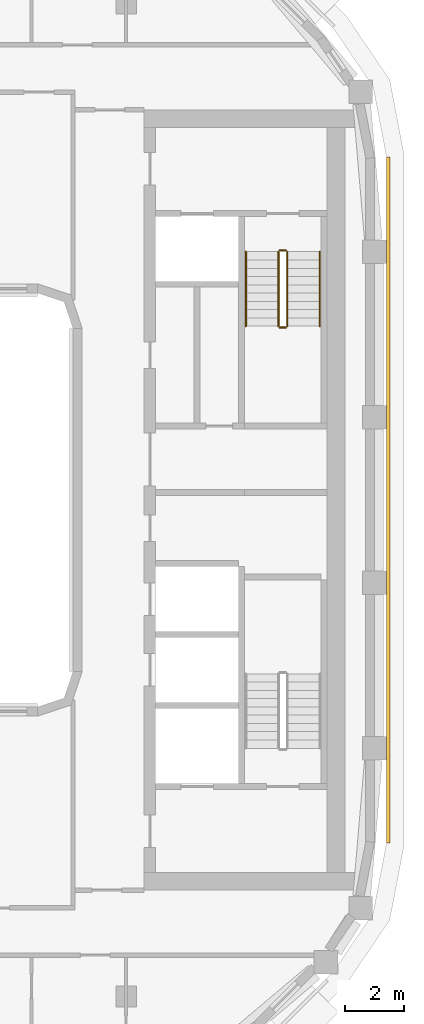
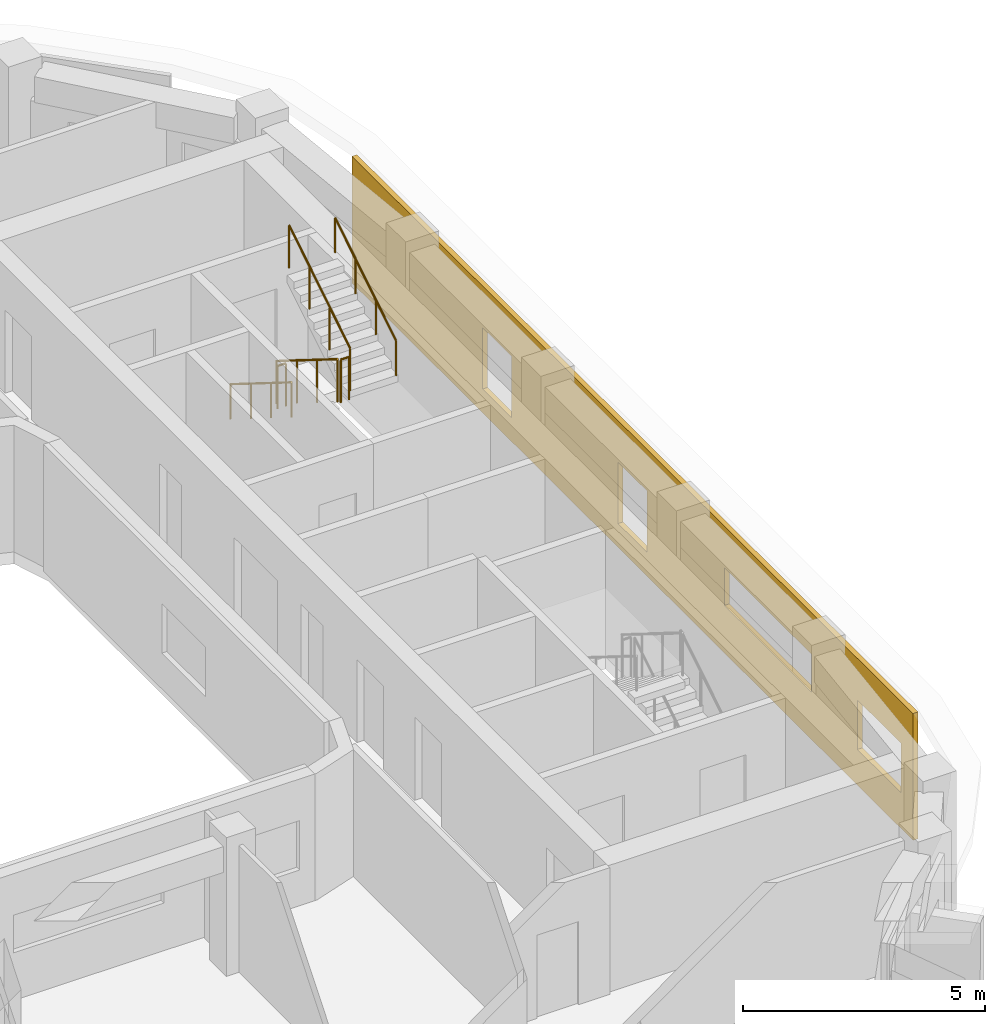
# One storey, part 14 of 15: 6 railings, 1 covering.
"""IFC4 building model written with IfcOpenShell, lengths in metres."""

from ifc_helpers import new_model, si_unit, direction, frame, origin, origin_2d, place, context, subcontext, project, spatial, polyline, circle, outline, extrude, material, layer, layer_set, type_object, element, save


model = new_model("IFC4")

# Units and contexts
model_context = context("Model", 3, precision=1e-05, world=origin(), true_north=direction((0.0, 1.0)))
body_context = subcontext(model_context, "Body", "Model", "MODEL_VIEW")
ifc_project = project(units=[si_unit("LENGTHUNIT", "METRE"), si_unit("AREAUNIT", "SQUARE_METRE"), si_unit("VOLUMEUNIT", "CUBIC_METRE"), si_unit("PLANEANGLEUNIT", "RADIAN"), si_unit("MASSUNIT", "GRAM", prefix="KILO")], contexts=[model_context])

# Site, building, storey
site_placement = place(None, origin())
site = spatial("IfcSite", under=ifc_project, at=site_placement, CompositionType="ELEMENT")
building_placement = place(site_placement, origin())
building = spatial("IfcBuilding", under=site, at=building_placement, Name="Kiln Ring Residences", CompositionType="ELEMENT")
storey_placement = place(building_placement, frame((0.0, 0.0, 252.199951171875)))
storey = spatial("IfcBuildingStorey", under=building, at=storey_placement, Name="L65", CompositionType="ELEMENT", Elevation=252.199951171875)

# Railings
ifc_material_1 = material(Name="Stainless steel", Category="steel")
railing_type_1 = type_object("IfcRailingType", Name="CORE-STAIR-GUARD", PredefinedType="GUARDRAIL", material=ifc_material_1)
railing_1_placement = place(storey_placement, frame((21.949951171875, 8.39990234375, 0.175048828125)))
element("IfcRailing", 1, at=railing_1_placement, inside=storey, type_object=railing_type_1, Name="L65 E-STN stair guard 1", PredefinedType="GUARDRAIL", context=body_context, shape_type="SweptSolid", body=[
    extrude(circle(Radius=0.02392578125, at=origin_2d()), frame((0.0, 0.0, 1.076171875), z_axis=(0.0, -0.848007534815, 0.529984170421), x_axis=(1.0, 0.0, 0.0)), (0.0, 0.0, 1.0), 2.9716796875),
    extrude(circle(Radius=0.02099609375, at=origin_2d()), origin(), (0.0, 0.0, 1.0), 1.052001953125),
    extrude(circle(Radius=0.02099609375, at=origin_2d()), frame((0.0, -0.840087890625, 0.52490234375)), (0.0, 0.0, 1.0), 1.052001953125),
    extrude(circle(Radius=0.02099609375, at=origin_2d()), frame((0.0, -1.679931640625, 1.050048828125)), (0.0, 0.0, 1.0), 1.052001953125),
    extrude(circle(Radius=0.02099609375, at=origin_2d()), frame((0.0, -2.52001953125, 1.574951171875)), (0.0, 0.0, 1.0), 1.052001953125),
])
railing_2_placement = place(storey_placement, frame((22.0, 5.830078125, 1.75)))
element("IfcRailing", 2, at=railing_2_placement, inside=storey, type_object=railing_type_1, Name="L65 E-STN stair guard 2", PredefinedType="GUARDRAIL", context=body_context, shape_type="SweptSolid", body=[
    extrude(circle(Radius=0.02392578125, at=origin_2d()), frame((0.0, 0.0, 1.076171875), z_axis=(1.0, 0.0, 0.0), x_axis=(0.0, 1.0, 0.0)), (0.0, 0.0, 1.0), 0.199951171875),
    extrude(circle(Radius=0.02099609375, at=origin_2d()), origin(), (0.0, 0.0, 1.0), 1.052001953125),
    extrude(circle(Radius=0.02099609375, at=origin_2d()), frame((0.199951171875, 0.0, 0.0)), (0.0, 0.0, 1.0), 1.052001953125),
])
railing_3_placement = place(storey_placement, frame((22.25, 5.8798828125, 1.925048828125)))
element("IfcRailing", 3, at=railing_3_placement, inside=storey, type_object=railing_type_1, Name="L65 E-STN stair guard 3", PredefinedType="GUARDRAIL", context=body_context, shape_type="SweptSolid", body=[
    extrude(circle(Radius=0.02392578125, at=origin_2d()), frame((0.0, 0.0, 1.076171875), z_axis=(0.0, 0.848007534815, 0.529984170421), x_axis=(-1.0, 0.0, 0.0)), (0.0, 0.0, 1.0), 2.9716796875),
    extrude(circle(Radius=0.02099609375, at=origin_2d()), origin(), (0.0, 0.0, 1.0), 1.052001953125),
    extrude(circle(Radius=0.02099609375, at=origin_2d()), frame((0.0, 0.840087890625, 0.52490234375)), (0.0, 0.0, 1.0), 1.052001953125),
    extrude(circle(Radius=0.02099609375, at=origin_2d()), frame((0.0, 1.679931640625, 1.050048828125)), (0.0, 0.0, 1.0), 1.052001953125),
    extrude(circle(Radius=0.02099609375, at=origin_2d()), frame((0.0, 2.52001953125, 1.574951171875)), (0.0, 0.0, 1.0), 1.052001953125),
])
railing_4_placement = place(storey_placement, frame((22.0, 8.449951171875, 0.0)))
element("IfcRailing", 4, at=railing_4_placement, inside=storey, type_object=railing_type_1, Name="L65 E-STN stair guard 4", PredefinedType="GUARDRAIL", context=body_context, shape_type="SweptSolid", body=[
    extrude(circle(Radius=0.02392578125, at=origin_2d()), frame((0.0, 0.0, 1.076171875), z_axis=(1.0, 0.0, 0.0), x_axis=(0.0, 1.0, 0.0)), (0.0, 0.0, 1.0), 0.199951171875),
    extrude(circle(Radius=0.02099609375, at=origin_2d()), origin(), (0.0, 0.0, 1.0), 1.052001953125),
    extrude(circle(Radius=0.02099609375, at=origin_2d()), frame((0.199951171875, 0.0, 0.0)), (0.0, 0.0, 1.0), 1.052001953125),
])
ifc_material_2 = material(Name="Stainless steel", Category="steel")
railing_type_2 = type_object("IfcRailingType", Name="CORE-STAIR-HANDRAIL", PredefinedType="HANDRAIL", material=ifc_material_2)
railing_5_placement = place(storey_placement, frame((20.85009765625, 8.39990234375, 0.175048828125)))
element("IfcRailing", 5, at=railing_5_placement, inside=storey, type_object=railing_type_2, Name="L65 E-STN stair handrail 1", PredefinedType="HANDRAIL", context=body_context, shape_type="SweptSolid", body=[
    extrude(circle(Radius=0.02392578125, at=origin_2d()), frame((0.0, 0.0, 0.8759765625), z_axis=(0.0, -0.848007534815, 0.529984170421), x_axis=(1.0, 0.0, 0.0)), (0.0, 0.0, 1.0), 2.9716796875),
    extrude(circle(Radius=0.02099609375, at=origin_2d()), origin(), (0.0, 0.0, 1.0), 0.851806640625),
    extrude(circle(Radius=0.02099609375, at=origin_2d()), frame((0.0, -0.840087890625, 0.52490234375)), (0.0, 0.0, 1.0), 0.851806640625),
    extrude(circle(Radius=0.02099609375, at=origin_2d()), frame((0.0, -1.679931640625, 1.050048828125)), (0.0, 0.0, 1.0), 0.851806640625),
    extrude(circle(Radius=0.02099609375, at=origin_2d()), frame((0.0, -2.52001953125, 1.574951171875)), (0.0, 0.0, 1.0), 0.851806640625),
])
railing_6_placement = place(storey_placement, frame((23.35009765625, 5.8798828125, 1.925048828125)))
element("IfcRailing", 6, at=railing_6_placement, inside=storey, type_object=railing_type_2, Name="L65 E-STN stair handrail 2", PredefinedType="HANDRAIL", context=body_context, shape_type="SweptSolid", body=[
    extrude(circle(Radius=0.02392578125, at=origin_2d()), frame((0.0, 0.0, 0.8759765625), z_axis=(0.0, 0.848007534815, 0.529984170421), x_axis=(-1.0, 0.0, 0.0)), (0.0, 0.0, 1.0), 2.9716796875),
    extrude(circle(Radius=0.02099609375, at=origin_2d()), origin(), (0.0, 0.0, 1.0), 0.851806640625),
    extrude(circle(Radius=0.02099609375, at=origin_2d()), frame((0.0, 0.840087890625, 0.52490234375)), (0.0, 0.0, 1.0), 0.851806640625),
    extrude(circle(Radius=0.02099609375, at=origin_2d()), frame((0.0, 1.679931640625, 1.050048828125)), (0.0, 0.0, 1.0), 0.851806640625),
    extrude(circle(Radius=0.02099609375, at=origin_2d()), frame((0.0, 2.52001953125, 1.574951171875)), (0.0, 0.0, 1.0), 0.851806640625),
])

# Covering
ifc_material_3 = material(Name="Brick masonry, dark clay brick", Category="masonry")
ifc_layer = layer(ifc_material_3, 0.1201171875)
ifc_layer_set = layer_set([ifc_layer], Name="RAINSCREEN PANEL 120")
covering_type = type_object("IfcCoveringType", Name="RAINSCREEN PANEL 120", PredefinedType="CLADDING", material=ifc_layer_set)
covering_placement = place(storey_placement, frame((25.659912109375, -11.60009765625, 0.0), z_axis=(0.0, 0.0, 1.0), x_axis=(0.0, 1.0, 0.0)))
element("IfcCovering", 7, at=covering_placement, inside=storey, type_object=covering_type, Name="RAINSCREEN L65", PredefinedType="CLADDING", context=body_context, shape_type="SweptSolid", body=[
    extrude(outline(polyline([(0.0, 0.0), (23.199951171875, 0.0), (23.199951171875, 3.199951171875), (0.0, 3.199951171875), (0.0, 0.0)]), holes=[polyline([(12.199951171875, 0.60009765625), (12.199951171875, 2.150146484375), (11.0, 2.150146484375), (11.0, 0.60009765625), (12.199951171875, 0.60009765625)]), polyline([(17.800048828125, 0.60009765625), (17.800048828125, 2.150146484375), (16.60009765625, 2.150146484375), (16.60009765625, 0.60009765625), (17.800048828125, 0.60009765625)]), polyline([(2.300048828125, 0.900146484375), (2.300048828125, 2.150146484375), (0.5, 2.150146484375), (0.5, 0.900146484375), (2.300048828125, 0.900146484375)]), polyline([(7.800048828125, 1.199951171875), (7.800048828125, 2.150146484375), (4.199951171875, 2.150146484375), (4.199951171875, 1.199951171875), (7.800048828125, 1.199951171875)])]), frame((0.0, 0.06005859375, 0.0), z_axis=(0.0, -1.0, 0.0), x_axis=(1.0, 0.0, 0.0)), (0.0, 0.0, 1.0), 0.1201171875),
])

save(model, "model.ifc")
